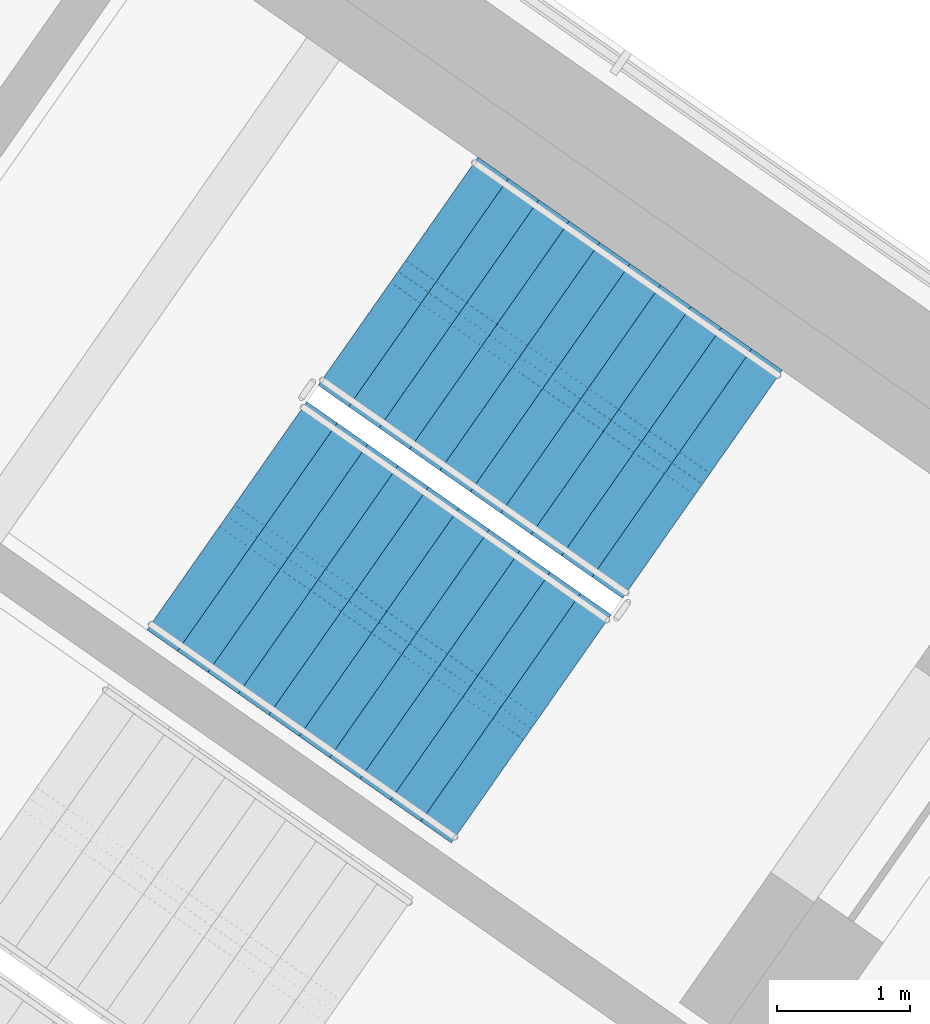
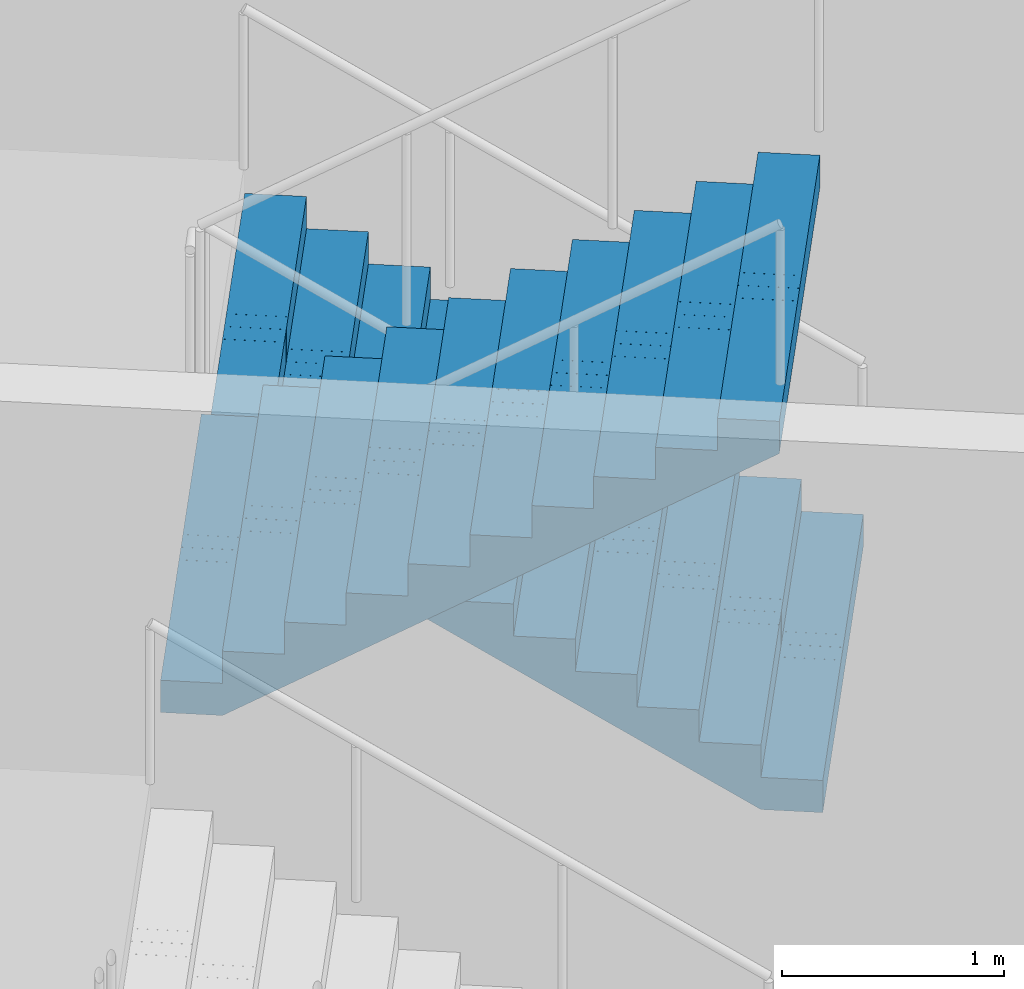
# One storey, part 15 of 21: 2 stair flights, 1 element without a shape of its own.
"""IFC4 building model written with IfcOpenShell, lengths in metres."""

from ifc_helpers import new_model, si_unit, direction, frame, origin, place, context, subcontext, project, spatial, polyline, outline, extrude, material, type_object, element, aggregate, save


model = new_model("IFC4")

# Units and contexts
model_context = context("Model", 3, precision=1e-05, world=origin(), true_north=direction((0.0, 1.0)))
body_context = subcontext(model_context, "Body", "Model", "MODEL_VIEW")
ifc_project = project(units=[si_unit("LENGTHUNIT", "METRE"), si_unit("AREAUNIT", "SQUARE_METRE"), si_unit("VOLUMEUNIT", "CUBIC_METRE"), si_unit("PLANEANGLEUNIT", "RADIAN"), si_unit("MASSUNIT", "GRAM", prefix="KILO")], contexts=[model_context])

# Site, building, storey
site_placement = place(None, origin())
site = spatial("IfcSite", under=ifc_project, at=site_placement, CompositionType="ELEMENT")
building_placement = place(site_placement, origin())
building = spatial("IfcBuilding", under=site, at=building_placement, Name="Tel Ilan Convention Tower", CompositionType="ELEMENT")
storey_placement = place(building_placement, frame((0.0, 0.0, 225.39990234375)))
storey = spatial("IfcBuildingStorey", under=building, at=storey_placement, Name="L52", CompositionType="ELEMENT", Elevation=225.39990234375)

# Stair, stair flights
ifc_material_1 = material(Name="Concrete C40/50", Category="concrete")
stair_type = type_object("IfcStairType", Name="Pressurised Exit Stair 22 risers 177 mm", PredefinedType="HALF_TURN_STAIR", material=ifc_material_1)
stair_placement = place(storey_placement, origin())
stair = element("IfcStair", 1, at=stair_placement, inside=storey, type_object=stair_type, Name="L52 Pressurised Stair S3", PredefinedType="HALF_TURN_STAIR")
ifc_material_2 = material(Name="Precast Concrete C40/50", Category="concrete")
stair_flight_type = type_object("IfcStairFlightType", Name="Concrete Stair Flight 2100 mm 22 risers 177 mm", PredefinedType="STRAIGHT", material=ifc_material_2)
stair_flight_1_placement = place(storey_placement, frame((24.25244140625, -7.032470703125, 0.0), z_axis=(0.0, 0.0, 1.0), x_axis=(-0.819152044289, 0.573576436351, 0.0)))
stair_flight_1 = element("IfcStairFlight", 2, at=stair_flight_1_placement, type_object=stair_flight_type, Name="S3 flight 1", NumberOfRisers=11, NumberOfTreads=10, PredefinedType="STRAIGHT", RiserHeight=0.177272727, TreadLength=0.28, context=body_context, shape_type="SweptSolid", body=[
    extrude(outline(polyline([(0.0, 0.0), (0.0, 0.17724609375), (0.280029296875, 0.17724609375), (0.280029296875, 0.3544921875), (0.56005859375, 0.3544921875), (0.56005859375, 0.53173828125), (0.840087890625, 0.53173828125), (0.840087890625, 0.708984375), (1.1201171875, 0.708984375), (1.1201171875, 0.886474609375), (1.39990234375, 0.886474609375), (1.39990234375, 1.063720703125), (1.679931640625, 1.063720703125), (1.679931640625, 1.240966796875), (1.9599609375, 1.240966796875), (1.9599609375, 1.418212890625), (2.239990234375, 1.418212890625), (2.239990234375, 1.595458984375), (2.52001953125, 1.595458984375), (2.52001953125, 1.772705078125), (2.800048828125, 1.772705078125), (2.800048828125, 1.949951171875), (2.800048828125, 1.59521484375), (0.2802734375, 0.0), (0.0, 0.0)])), frame((0.0, -0.100341796875, 0.0), z_axis=(0.0, -1.0, 0.0), x_axis=(1.0, 0.0, 0.0)), (0.0, 0.0, 1.0), 0.94970703125),
    extrude(outline(polyline([(0.0, 0.0), (0.0, 0.17724609375), (0.280029296875, 0.17724609375), (0.280029296875, 0.3544921875), (0.56005859375, 0.3544921875), (0.56005859375, 0.53173828125), (0.840087890625, 0.53173828125), (0.840087890625, 0.708984375), (1.1201171875, 0.708984375), (1.1201171875, 0.886474609375), (1.39990234375, 0.886474609375), (1.39990234375, 1.063720703125), (1.679931640625, 1.063720703125), (1.679931640625, 1.240966796875), (1.9599609375, 1.240966796875), (1.9599609375, 1.418212890625), (2.239990234375, 1.418212890625), (2.239990234375, 1.595458984375), (2.52001953125, 1.595458984375), (2.52001953125, 1.772705078125), (2.800048828125, 1.772705078125), (2.800048828125, 1.949951171875), (2.800048828125, 1.59521484375), (0.2802734375, 0.0), (0.0, 0.0)])), frame((0.0, -0.000244140625, 0.0), z_axis=(0.0, -1.0, 0.0), x_axis=(1.0, 0.0, 0.0)), (0.0, 0.0, 1.0), 0.099609375),
    extrude(outline(polyline([(0.0, 0.0), (0.0, 0.17724609375), (0.280029296875, 0.17724609375), (0.280029296875, 0.3544921875), (0.56005859375, 0.3544921875), (0.56005859375, 0.53173828125), (0.840087890625, 0.53173828125), (0.840087890625, 0.708984375), (1.1201171875, 0.708984375), (1.1201171875, 0.886474609375), (1.39990234375, 0.886474609375), (1.39990234375, 1.063720703125), (1.679931640625, 1.063720703125), (1.679931640625, 1.240966796875), (1.9599609375, 1.240966796875), (1.9599609375, 1.418212890625), (2.239990234375, 1.418212890625), (2.239990234375, 1.595458984375), (2.52001953125, 1.595458984375), (2.52001953125, 1.772705078125), (2.800048828125, 1.772705078125), (2.800048828125, 1.949951171875), (2.800048828125, 1.59521484375), (0.2802734375, 0.0), (0.0, 0.0)])), frame((0.0, 0.099853515625, 0.0), z_axis=(0.0, -1.0, 0.0), x_axis=(1.0, 0.0, 0.0)), (0.0, 0.0, 1.0), 0.099609375),
    extrude(outline(polyline([(0.0, 0.0), (0.0, 0.17724609375), (0.280029296875, 0.17724609375), (0.280029296875, 0.3544921875), (0.56005859375, 0.3544921875), (0.56005859375, 0.53173828125), (0.840087890625, 0.53173828125), (0.840087890625, 0.708984375), (1.1201171875, 0.708984375), (1.1201171875, 0.886474609375), (1.39990234375, 0.886474609375), (1.39990234375, 1.063720703125), (1.679931640625, 1.063720703125), (1.679931640625, 1.240966796875), (1.9599609375, 1.240966796875), (1.9599609375, 1.418212890625), (2.239990234375, 1.418212890625), (2.239990234375, 1.595458984375), (2.52001953125, 1.595458984375), (2.52001953125, 1.772705078125), (2.800048828125, 1.772705078125), (2.800048828125, 1.949951171875), (2.800048828125, 1.59521484375), (0.2802734375, 0.0), (0.0, 0.0)])), frame((0.0, 1.050048828125, 0.0), z_axis=(0.0, -1.0, 0.0), x_axis=(1.0, 0.0, 0.0)), (0.0, 0.0, 1.0), 0.94970703125),
])
stair_flight_2_placement = place(storey_placement, frame((20.668212890625, -7.26953125, 1.9501953125), z_axis=(0.0, 0.0, 1.0), x_axis=(0.819152044289, -0.573576436351, 0.0)))
stair_flight_2 = element("IfcStairFlight", 3, at=stair_flight_2_placement, type_object=stair_flight_type, Name="S3 flight 2", NumberOfRisers=11, NumberOfTreads=10, PredefinedType="STRAIGHT", RiserHeight=0.177272727, TreadLength=0.28, context=body_context, shape_type="SweptSolid", body=[
    extrude(outline(polyline([(0.0, 0.0), (0.0, 0.17724609375), (0.280029296875, 0.17724609375), (0.280029296875, 0.3544921875), (0.56005859375, 0.3544921875), (0.56005859375, 0.53173828125), (0.840087890625, 0.53173828125), (0.840087890625, 0.708984375), (1.1201171875, 0.708984375), (1.1201171875, 0.886474609375), (1.39990234375, 0.886474609375), (1.39990234375, 1.063720703125), (1.679931640625, 1.063720703125), (1.679931640625, 1.240966796875), (1.9599609375, 1.240966796875), (1.9599609375, 1.418212890625), (2.239990234375, 1.418212890625), (2.239990234375, 1.595458984375), (2.52001953125, 1.595458984375), (2.52001953125, 1.772705078125), (2.800048828125, 1.772705078125), (2.800048828125, 1.949951171875), (2.800048828125, 1.59521484375), (0.2802734375, 0.0), (0.0, 0.0)])), frame((0.0, -0.100341796875, 0.0), z_axis=(0.0, -1.0, 0.0), x_axis=(1.0, 0.0, 0.0)), (0.0, 0.0, 1.0), 0.94970703125),
    extrude(outline(polyline([(0.0, 0.0), (0.0, 0.17724609375), (0.280029296875, 0.17724609375), (0.280029296875, 0.3544921875), (0.56005859375, 0.3544921875), (0.56005859375, 0.53173828125), (0.840087890625, 0.53173828125), (0.840087890625, 0.708984375), (1.1201171875, 0.708984375), (1.1201171875, 0.886474609375), (1.39990234375, 0.886474609375), (1.39990234375, 1.063720703125), (1.679931640625, 1.063720703125), (1.679931640625, 1.240966796875), (1.9599609375, 1.240966796875), (1.9599609375, 1.418212890625), (2.239990234375, 1.418212890625), (2.239990234375, 1.595458984375), (2.52001953125, 1.595458984375), (2.52001953125, 1.772705078125), (2.800048828125, 1.772705078125), (2.800048828125, 1.949951171875), (2.800048828125, 1.59521484375), (0.2802734375, 0.0), (0.0, 0.0)])), frame((0.0, -0.000244140625, 0.0), z_axis=(0.0, -1.0, 0.0), x_axis=(1.0, 0.0, 0.0)), (0.0, 0.0, 1.0), 0.099609375),
    extrude(outline(polyline([(0.0, 0.0), (0.0, 0.17724609375), (0.280029296875, 0.17724609375), (0.280029296875, 0.3544921875), (0.56005859375, 0.3544921875), (0.56005859375, 0.53173828125), (0.840087890625, 0.53173828125), (0.840087890625, 0.708984375), (1.1201171875, 0.708984375), (1.1201171875, 0.886474609375), (1.39990234375, 0.886474609375), (1.39990234375, 1.063720703125), (1.679931640625, 1.063720703125), (1.679931640625, 1.240966796875), (1.9599609375, 1.240966796875), (1.9599609375, 1.418212890625), (2.239990234375, 1.418212890625), (2.239990234375, 1.595458984375), (2.52001953125, 1.595458984375), (2.52001953125, 1.772705078125), (2.800048828125, 1.772705078125), (2.800048828125, 1.949951171875), (2.800048828125, 1.59521484375), (0.2802734375, 0.0), (0.0, 0.0)])), frame((0.0, 0.099853515625, 0.0), z_axis=(0.0, -1.0, 0.0), x_axis=(1.0, 0.0, 0.0)), (0.0, 0.0, 1.0), 0.099609375),
    extrude(outline(polyline([(0.0, 0.0), (0.0, 0.17724609375), (0.280029296875, 0.17724609375), (0.280029296875, 0.3544921875), (0.56005859375, 0.3544921875), (0.56005859375, 0.53173828125), (0.840087890625, 0.53173828125), (0.840087890625, 0.708984375), (1.1201171875, 0.708984375), (1.1201171875, 0.886474609375), (1.39990234375, 0.886474609375), (1.39990234375, 1.063720703125), (1.679931640625, 1.063720703125), (1.679931640625, 1.240966796875), (1.9599609375, 1.240966796875), (1.9599609375, 1.418212890625), (2.239990234375, 1.418212890625), (2.239990234375, 1.595458984375), (2.52001953125, 1.595458984375), (2.52001953125, 1.772705078125), (2.800048828125, 1.772705078125), (2.800048828125, 1.949951171875), (2.800048828125, 1.59521484375), (0.2802734375, 0.0), (0.0, 0.0)])), frame((0.0, 1.050048828125, 0.0), z_axis=(0.0, -1.0, 0.0), x_axis=(1.0, 0.0, 0.0)), (0.0, 0.0, 1.0), 0.94970703125),
])
aggregate(stair, [stair_flight_1, stair_flight_2])

save(model, "model.ifc")
